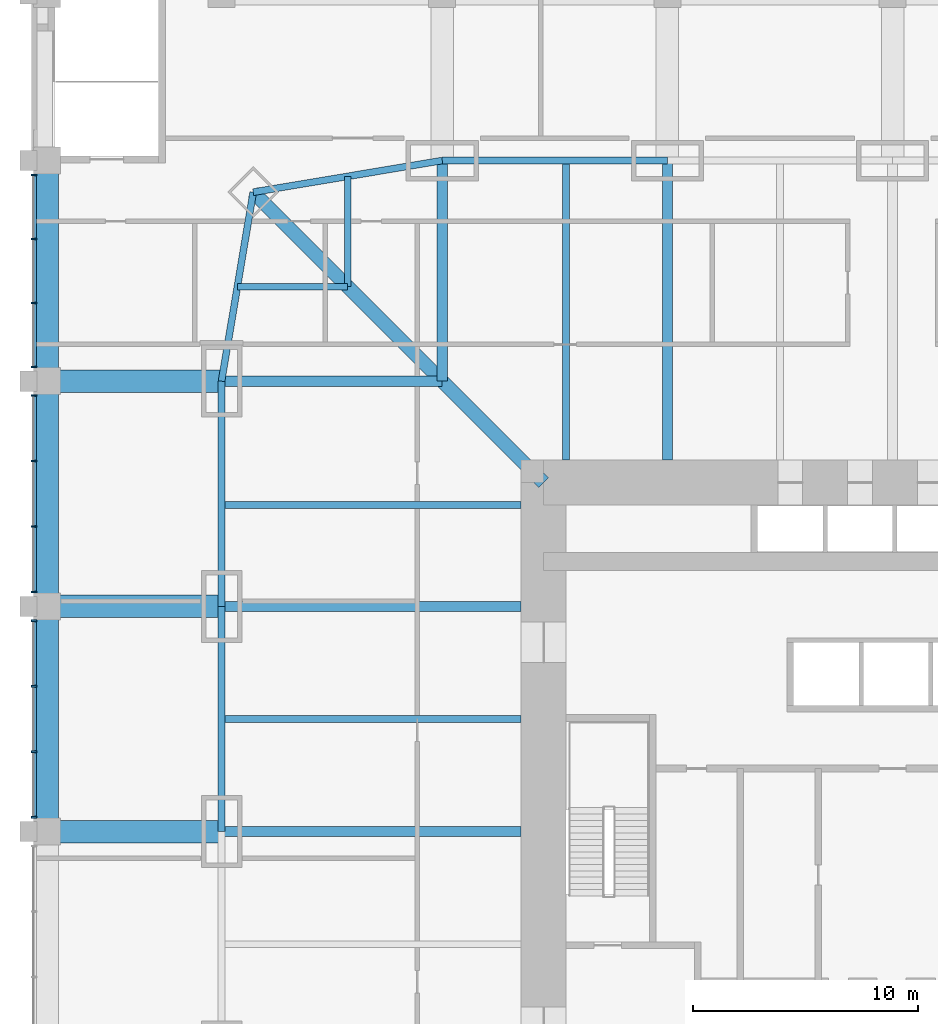
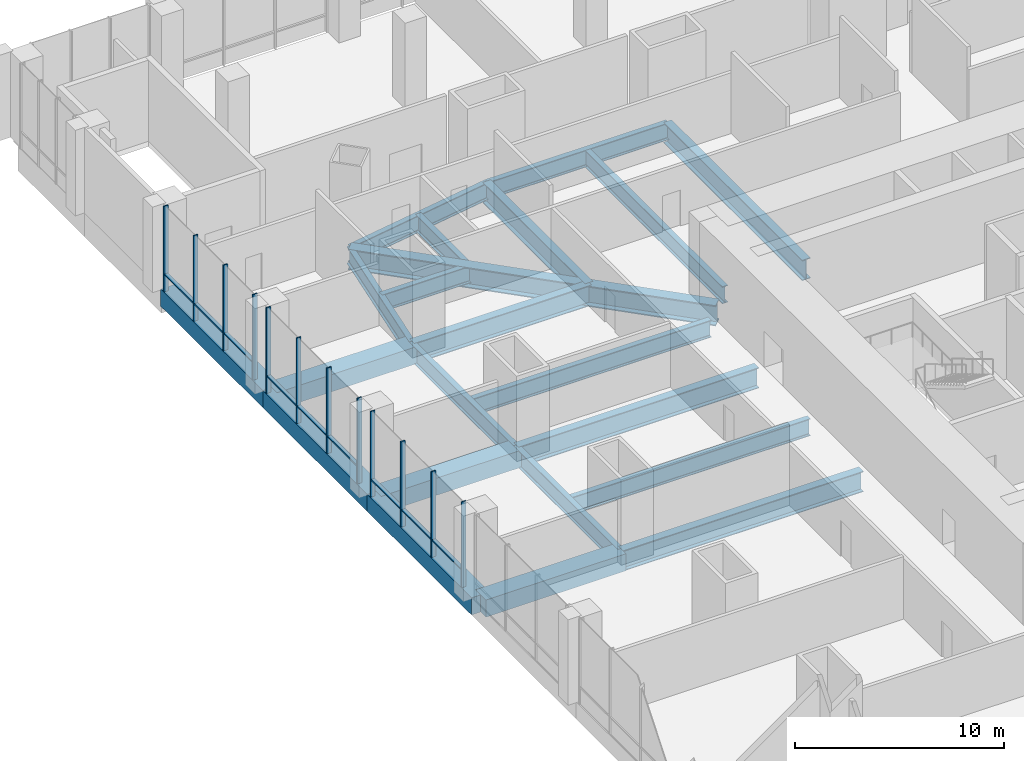
# One storey, part 6 of 22: 22 beams, 21 members, 3 elements without a shape of their own.
"""IFC4 building model written with IfcOpenShell, lengths in metres."""

import ifcopenshell
import ifcopenshell.guid

model = None  # the IFC model being written
_history = None  # IfcOwnerHistory: only IFC2X3 demands one
_inside = {}  # id of a spatial element -> (the spatial element, [elements in it])
_under = {}  # id of a project, library or spatial element -> (it, [spatial elements below it])
_declared = {}  # id of a project -> (the project, [libraries it declares])
_typed = {}  # id of a type object -> (the type object, [elements of that type])
_made_of = {}  # id of a material, layer set ... -> (it, [elements and type objects made of it])


def new_model(schema):
    """Start an empty IFC model of exactly this schema.

    Asked for "IFC4X3", IfcOpenShell would pick the latest addendum, in which some entities
    have other attributes; the version numbers below select the first issue.
    IFC2X3 requires an IfcOwnerHistory on every rooted entity: one is made here for all.
    """
    global model, _history
    if schema == "IFC4X3":
        model = ifcopenshell.file(schema_version=(4, 3, 0, 0))
    else:
        model = ifcopenshell.file(schema=schema)
    _inside.clear()
    _under.clear()
    _declared.clear()
    _typed.clear()
    _made_of.clear()
    _history = None
    if model.schema == "IFC2X3":
        org = make("IfcOrganization", Name="unknown")
        user = make(
            "IfcPersonAndOrganization",
            ThePerson=make("IfcPerson", FamilyName="unknown"),
            TheOrganization=org,
        )
        app = make(
            "IfcApplication",
            ApplicationDeveloper=org,
            Version="unknown",
            ApplicationFullName="unknown",
            ApplicationIdentifier="unknown",
        )
        _history = make(
            "IfcOwnerHistory",
            OwningUser=user,
            OwningApplication=app,
            ChangeAction="ADDED",
            CreationDate=0,
        )
    return model


def make(cls, **values):
    """One entity of the class cls with the attributes given. An attribute that is None is left unset."""
    return model.create_entity(
        cls, **{name: value for name, value in values.items() if value is not None}
    )


def rooted(cls, **values):
    """An entity with a GlobalId (a new one), such as an element, a storey or a relation."""
    return make(cls, GlobalId=ifcopenshell.guid.new(), OwnerHistory=_history, **values)


def si_unit(unit_type, name, prefix=None):
    """IfcSIUnit, for example si_unit("LENGTHUNIT", "METRE", prefix="MILLI")."""
    return make("IfcSIUnit", UnitType=unit_type, Prefix=prefix, Name=name)


def assignment(units):
    """IfcUnitAssignment: the units of a project."""
    return None if units is None else make("IfcUnitAssignment", Units=units)


def point(xyz):
    """IfcCartesianPoint."""
    return None if xyz is None else make("IfcCartesianPoint", Coordinates=xyz)


def direction(xyz):
    """IfcDirection."""
    return None if xyz is None else make("IfcDirection", DirectionRatios=xyz)


def frame(location, z_axis=None, x_axis=None):
    """IfcAxis2Placement3D, a coordinate frame: its origin and axes. An axis left out is left unset."""
    return make(
        "IfcAxis2Placement3D",
        Location=point(location),
        Axis=direction(z_axis),
        RefDirection=direction(x_axis),
    )


def frame_2d(location, x_axis=None):
    """IfcAxis2Placement2D, a coordinate frame in the plane: its origin and x axis."""
    return make(
        "IfcAxis2Placement2D", Location=point(location), RefDirection=direction(x_axis)
    )


def origin():
    """The frame at (0, 0, 0) with its axes left unset."""
    return frame((0.0, 0.0, 0.0))


def origin_2d():
    """The frame at (0, 0) in the plane with its x axis left unset."""
    return frame_2d((0.0, 0.0))


def place(relative_to, where):
    """IfcLocalPlacement: puts the frame where relative to a parent placement (None: the world)."""
    return make(
        "IfcLocalPlacement", PlacementRelTo=relative_to, RelativePlacement=where
    )


def context(
    kind, dimensions, precision=None, world=None, true_north=None, identifier=None
):
    """IfcGeometricRepresentationContext, for example the 3D "Model" context."""
    return make(
        "IfcGeometricRepresentationContext",
        ContextIdentifier=identifier,
        ContextType=kind,
        CoordinateSpaceDimension=dimensions,
        Precision=precision,
        WorldCoordinateSystem=world,
        TrueNorth=true_north,
    )


def subcontext(parent, identifier, kind, view, scale=None):
    """IfcGeometricRepresentationSubContext, for example "Body" below "Model"."""
    return make(
        "IfcGeometricRepresentationSubContext",
        ContextIdentifier=identifier,
        ContextType=kind,
        ParentContext=parent,
        TargetScale=scale,
        TargetView=view,
    )


def project(units=None, contexts=None):
    """IfcProject with its units and contexts."""
    return rooted(
        "IfcProject",
        Name="project",
        RepresentationContexts=contexts,
        UnitsInContext=assignment(units),
    )


def spatial(cls, under=None, at=None, **own):
    """A site, building, storey or space (cls), placed at a placement, below another one or the project."""
    s = rooted(cls, ObjectPlacement=at, **own)
    if under is not None:
        _under.setdefault(under.id(), (under, []))[1].append(s)
    return s


def profile(cls, at=None, kind="AREA", **sizes):
    """A parametric profile (cls). Its sizes go by their IFC names, for example OverallWidth=200.0."""
    return make(cls, ProfileType=kind, Position=at, **sizes)


def rectangle(**sizes):
    """IfcRectangleProfileDef."""
    return profile("IfcRectangleProfileDef", **sizes)


def i_section(**sizes):
    """IfcIShapeProfileDef."""
    return profile("IfcIShapeProfileDef", **sizes)


def extrude(swept, where, along, depth):
    """IfcExtrudedAreaSolid: the profile swept, set in the frame where, extruded along a direction by depth."""
    return make(
        "IfcExtrudedAreaSolid",
        SweptArea=swept,
        Position=where,
        ExtrudedDirection=direction(along),
        Depth=depth,
    )


def shape(context_of_items, identifier, shape_type, items):
    """IfcShapeRepresentation: the items that make up one representation, for example the "Body"."""
    return make(
        "IfcShapeRepresentation",
        ContextOfItems=context_of_items,
        RepresentationIdentifier=identifier,
        RepresentationType=shape_type,
        Items=items,
    )


def material(Name=None, Category=None):
    """IfcMaterial."""
    return make("IfcMaterial", Name=Name, Category=Category)


def material_profile(
    of_material, cross_section, Name=None, Category=None, Priority=None
):
    """IfcMaterialProfile: a cross section and its material."""
    return make(
        "IfcMaterialProfile",
        Name=Name,
        Material=of_material,
        Profile=cross_section,
        Priority=Priority,
        Category=Category,
    )


def profile_set(profiles, Name=None, composite=None):
    """IfcMaterialProfileSet."""
    return make(
        "IfcMaterialProfileSet",
        Name=Name,
        MaterialProfiles=profiles,
        CompositeProfile=composite,
    )


def made_of(thing, what):
    """Note that an element or type object is made of a material, layer set ...; save() writes the relation."""
    if what is not None:
        _made_of.setdefault(what.id(), (what, []))[1].append(thing)
    return thing


def type_object(cls, material=None, **own):
    """A type object (cls), such as IfcWallType, which elements share."""
    return made_of(rooted(cls, **own), material)


def element(
    cls,
    number,
    at=None,
    inside=None,
    cuts=None,
    type_object=None,
    material=None,
    context=None,
    identifier="Body",
    shape_type=None,
    held_by="IfcProductDefinitionShape",
    body=None,
    shapes=None,
    **own,
):
    """One element of the class cls, such as IfcWall. Its Tag is "e" and its number.

    at: its placement. inside: the storey or other place that contains it. cuts: it is an
    opening in that element (IfcRelVoidsElement). A single representation is given by context,
    identifier, shape_type and body (its items); several are given by shapes. held_by: the class
    of the entity that holds the representations. save() writes the other relations.
    """
    e = rooted(cls, Tag="e%d" % number, ObjectPlacement=at, **own)
    if body is not None:
        shapes = [shape(context, identifier, shape_type, body)]
    if shapes is not None:
        e.Representation = make(held_by, Representations=shapes)
    if inside is not None:
        _inside.setdefault(inside.id(), (inside, []))[1].append(e)
    if cuts is not None:
        rooted(
            "IfcRelVoidsElement", RelatingBuildingElement=cuts, RelatedOpeningElement=e
        )
    if type_object is not None:
        _typed.setdefault(type_object.id(), (type_object, []))[1].append(e)
    return made_of(e, material)


def aggregate(whole, parts):
    """IfcRelAggregates: a whole, such as a stair, and the parts it consists of."""
    return rooted("IfcRelAggregates", RelatingObject=whole, RelatedObjects=parts)


def save(model, path):
    """Write the relations noted so far, then the file.

    IfcRelAggregates (storeys below a building ...), IfcRelContainedInSpatialStructure (elements
    in a storey), IfcRelDefinesByType, IfcRelAssociatesMaterial and IfcRelDeclares: one each for
    every whole, place, type object, material and project.
    """
    for whole, parts in _under.values():
        aggregate(whole, parts)
    for where, things in _inside.values():
        rooted(
            "IfcRelContainedInSpatialStructure",
            RelatedElements=things,
            RelatingStructure=where,
        )
    for kind, things in _typed.values():
        rooted("IfcRelDefinesByType", RelatedObjects=things, RelatingType=kind)
    for what, things in _made_of.values():
        rooted("IfcRelAssociatesMaterial", RelatedObjects=things, RelatingMaterial=what)
    for by, libraries in _declared.values():
        rooted("IfcRelDeclares", RelatingContext=by, RelatedDefinitions=libraries)
    model.write(path)


model = new_model("IFC4")

# Units and contexts
model_context = context("Model", 3, precision=1e-05, world=origin(), true_north=direction((0.0, 1.0)))
body_context = subcontext(model_context, "Body", "Model", "MODEL_VIEW")
ifc_project = project(units=[si_unit("LENGTHUNIT", "METRE"), si_unit("AREAUNIT", "SQUARE_METRE"), si_unit("VOLUMEUNIT", "CUBIC_METRE"), si_unit("PLANEANGLEUNIT", "RADIAN"), si_unit("MASSUNIT", "GRAM", prefix="KILO")], contexts=[model_context])

# Site, building, storey
site_placement = place(None, origin())
site = spatial("IfcSite", under=ifc_project, at=site_placement, CompositionType="ELEMENT")
building_placement = place(site_placement, origin())
building = spatial("IfcBuilding", under=site, at=building_placement, Name="Khuree Lantern Residences", CompositionType="ELEMENT")
storey_placement = place(building_placement, frame((0.0, 0.0, 16.0)))
storey = spatial("IfcBuildingStorey", under=building, at=storey_placement, Name="L03", CompositionType="ELEMENT", Elevation=16.0)

# Beams
ifc_material_1 = material(Name="Steel S355", Category="steel")
ifc_material_profile_1 = material_profile(ifc_material_1, i_section(OverallWidth=0.300048828125, OverallDepth=1.0, WebThickness=0.01904296875, FlangeThickness=0.035888671875, FilletRadius=0.030029296875, at=origin_2d()), Name="HE 1000 B")
ifc_profile_set_1 = profile_set([ifc_material_profile_1], Name="Steel S355")
beam_type_1 = type_object("IfcBeamType", Name="B-03 SECONDARY BEAM HE 1000 B", PredefinedType="BEAM", material=ifc_profile_set_1)
for number, where, z_axis, x_axis, name in (
    (1, (-14.5, 29.800048828125, -0.800048828125), (0.0, -1.0, 0.0), (1.0, 0.0, 0.0), "Secondary beam N1"),
    (2, (-29.800048828125, 5.0, -0.800048828125), (1.0, 0.0, 0.0), (0.0, 1.0, 0.0), "Secondary beam W4"),
    (3, (-29.800048828125, 14.5, -0.800048828125), (1.0, 0.0, 0.0), (0.0, 1.0, 0.0), "Secondary beam W5"),
):
    element("IfcBeam", number, at=place(storey_placement, frame(where, z_axis=z_axis, x_axis=x_axis)), inside=storey, type_object=beam_type_1, Name=name, PredefinedType="BEAM", context=body_context, shape_type="SweptSolid", body=[
        extrude(i_section(OverallWidth=0.300048828125, OverallDepth=1.0, WebThickness=0.01904296875, FlangeThickness=0.035888671875, FilletRadius=0.030029296875, at=origin_2d()), origin(), (0.0, 0.0, 1.0), 13.300048828125),
    ])
for number, where, z_axis, x_axis, name in (
    (4, (-29.09716796875, 24.197021484375, -0.800048828125), (1.0, 0.0, 0.0), (0.0, 1.0, 0.0), "Secondary beam W6"),
    (5, (-24.197021484375, 29.09716796875, -0.800048828125), (0.0, -1.0, 0.0), (1.0, 0.0, 0.0), "Secondary beam N6"),
):
    element("IfcBeam", number, at=place(storey_placement, frame(where, z_axis=z_axis, x_axis=x_axis)), inside=storey, type_object=beam_type_1, Name=name, PredefinedType="BEAM", context=body_context, shape_type="SweptSolid", body=[
        extrude(i_section(OverallWidth=0.300048828125, OverallDepth=1.0, WebThickness=0.01904296875, FlangeThickness=0.035888671875, FilletRadius=0.030029296875, at=origin_2d()), origin(), (0.0, 0.0, 1.0), 4.900146484375),
    ])
ifc_material_profile_2 = material_profile(ifc_material_1, i_section(OverallWidth=0.300048828125, OverallDepth=1.0, WebThickness=0.01904296875, FlangeThickness=0.035888671875, FilletRadius=0.030029296875, at=origin_2d()), Name="HE 1000 B")
ifc_profile_set_2 = profile_set([ifc_material_profile_2], Name="Steel S355")
beam_type_2 = type_object("IfcBeamType", Name="E-03 SPANDREL BEAM HE 1000 B", PredefinedType="SPANDREL", material=ifc_profile_set_2)
for number, where, z_axis, x_axis, name in (
    (6, (-20.0, 29.800048828125, -0.800048828125), (1.0, 0.0, 0.0), (0.0, 1.0, 0.0), "Spandrel beam N1"),
    (7, (-29.800048828125, 0.0, -0.800048828125), (0.0, 1.0, 0.0), (-1.0, 0.0, 0.0), "Spandrel beam W4"),
    (8, (-29.800048828125, 10.0, -0.800048828125), (0.0, 1.0, 0.0), (-1.0, 0.0, 0.0), "Spandrel beam W5"),
):
    element("IfcBeam", number, at=place(storey_placement, frame(where, z_axis=z_axis, x_axis=x_axis)), inside=storey, type_object=beam_type_2, Name=name, PredefinedType="SPANDREL", context=body_context, shape_type="SweptSolid", body=[
        extrude(i_section(OverallWidth=0.300048828125, OverallDepth=1.0, WebThickness=0.01904296875, FlangeThickness=0.035888671875, FilletRadius=0.030029296875, at=origin_2d()), origin(), (0.0, 0.0, 1.0), 10.0),
    ])
for number, where, z_axis, x_axis, name in (
    (9, (-29.800048828125, 20.0, -0.800048828125), (0.165199022349, 0.986260251158, 0.0), (-0.986260251158, 0.165199022349, 0.0), "Spandrel beam W6"),
    (10, (-28.39404296875, 28.39404296875, -0.800048828125), (0.986260251158, 0.165199022349, 0.0), (-0.165199022349, 0.986260251158, 0.0), "Spandrel beam N6"),
):
    element("IfcBeam", number, at=place(storey_placement, frame(where, z_axis=z_axis, x_axis=x_axis)), inside=storey, type_object=beam_type_2, Name=name, PredefinedType="SPANDREL", context=body_context, shape_type="SweptSolid", body=[
        extrude(i_section(OverallWidth=0.300048828125, OverallDepth=1.0, WebThickness=0.01904296875, FlangeThickness=0.035888671875, FilletRadius=0.030029296875, at=origin_2d()), origin(), (0.0, 0.0, 1.0), 8.510986328125),
    ])
ifc_material_profile_3 = material_profile(ifc_material_1, i_section(OverallWidth=0.449951171875, OverallDepth=1.199951171875, WebThickness=0.02490234375, FlangeThickness=0.044921875, at=origin_2d()), Name="WELDED I 1200X450X25X45")
ifc_profile_set_3 = profile_set([ifc_material_profile_3], Name="Steel S355")
beam_type_3 = type_object("IfcBeamType", Name="G-03 GIRDER WELDED I 1200X450X25X45", PredefinedType="BEAM", material=ifc_profile_set_3)
beam_1_placement = place(storey_placement, frame((-20.0, 29.800048828125, -0.89990234375), z_axis=(0.0, -1.0, 0.0), x_axis=(1.0, 0.0, 0.0)))
element("IfcBeam", 11, at=beam_1_placement, inside=storey, type_object=beam_type_3, Name="Girder N1", PredefinedType="BEAM", context=body_context, shape_type="SweptSolid", body=[
    extrude(i_section(OverallWidth=0.449951171875, OverallDepth=1.199951171875, WebThickness=0.02490234375, FlangeThickness=0.044921875, at=origin_2d()), origin(), (0.0, 0.0, 1.0), 9.800048828125),
])
for number, where, z_axis, x_axis, name in (
    (12, (-10.0, 29.800048828125, -0.89990234375), (0.0, -1.0, 0.0), (1.0, 0.0, 0.0), "Girder N2"),
    (13, (-29.800048828125, 0.0, -0.89990234375), (1.0, 0.0, 0.0), (0.0, 1.0, 0.0), "Girder W3"),
    (14, (-29.800048828125, 10.0, -0.89990234375), (1.0, 0.0, 0.0), (0.0, 1.0, 0.0), "Girder W4"),
):
    element("IfcBeam", number, at=place(storey_placement, frame(where, z_axis=z_axis, x_axis=x_axis)), inside=storey, type_object=beam_type_3, Name=name, PredefinedType="BEAM", context=body_context, shape_type="SweptSolid", body=[
        extrude(i_section(OverallWidth=0.449951171875, OverallDepth=1.199951171875, WebThickness=0.02490234375, FlangeThickness=0.044921875, at=origin_2d()), origin(), (0.0, 0.0, 1.0), 13.300048828125),
    ])
beam_2_placement = place(storey_placement, frame((-29.800048828125, 20.0, -0.89990234375), z_axis=(1.0, 0.0, 0.0), x_axis=(0.0, 1.0, 0.0)))
element("IfcBeam", 15, at=beam_2_placement, inside=storey, type_object=beam_type_3, Name="Girder W5", PredefinedType="BEAM", context=body_context, shape_type="SweptSolid", body=[
    extrude(i_section(OverallWidth=0.449951171875, OverallDepth=1.199951171875, WebThickness=0.02490234375, FlangeThickness=0.044921875, at=origin_2d()), origin(), (0.0, 0.0, 1.0), 9.800048828125),
])
ifc_material_profile_4 = material_profile(ifc_material_1, i_section(OverallWidth=0.60009765625, OverallDepth=1.199951171875, WebThickness=0.030029296875, FlangeThickness=0.06005859375, at=origin_2d()), Name="WELDED I 1200X600X30X60")
ifc_profile_set_4 = profile_set([ifc_material_profile_4], Name="Steel S355")
beam_type_4 = type_object("IfcBeamType", Name="GD-03 CORNER GIRDER WELDED I 1200X600X30X60", PredefinedType="BEAM", material=ifc_profile_set_4)
beam_3_placement = place(storey_placement, frame((-28.39404296875, 28.39404296875, -0.89990234375), z_axis=(0.707106781187, -0.707106781187, 0.0), x_axis=(0.707106781187, 0.707106781187, 0.0)))
element("IfcBeam", 16, at=beam_3_placement, inside=storey, type_object=beam_type_4, Name="Corner girder NW", PredefinedType="BEAM", context=body_context, shape_type="SweptSolid", body=[
    extrude(i_section(OverallWidth=0.60009765625, OverallDepth=1.199951171875, WebThickness=0.030029296875, FlangeThickness=0.06005859375, at=origin_2d()), origin(), (0.0, 0.0, 1.0), 18.23486328125),
])

# Curtain wall, members
ifc_material_2 = material(Name="Bronze anodised aluminium", Category="aluminium")
curtain_wall_type = type_object("IfcCurtainWallType", Name="CW-P PODIUM STOREFRONT CURTAIN WALL", PredefinedType="USERDEFINED", material=ifc_material_2)
curtain_wall_1_placement = place(storey_placement, origin())
curtain_wall_1 = element("IfcCurtainWall", 17, at=curtain_wall_1_placement, inside=storey, type_object=curtain_wall_type, Name="L03 WEST FACE BAY 3 STOREFRONT", ObjectType="Storefront curtain wall", PredefinedType="USERDEFINED")
ifc_material_profile_5 = material_profile(ifc_material_2, rectangle(XDim=0.074951171875, YDim=0.25, at=origin_2d()), Name="M5 75X250")
ifc_profile_set_5 = profile_set([ifc_material_profile_5], Name="Bronze anodised aluminium")
member_type_1 = type_object("IfcMemberType", Name="MULLION M5 STOREFRONT 75X250", PredefinedType="MULLION", material=ifc_profile_set_5)
member_1_placement = place(storey_placement, frame((-38.125, 29.16259765625, 0.0), z_axis=(0.0, 0.0, 1.0), x_axis=(0.0, -1.0, 0.0)))
member_1 = element("IfcMember", 18, at=member_1_placement, type_object=member_type_1, Name="L03 WEST FACE BAY 3 MULLION 1", PredefinedType="MULLION", context=body_context, shape_type="SweptSolid", body=[
    extrude(rectangle(XDim=0.074951171875, YDim=0.25, at=origin_2d()), origin(), (0.0, 0.0, 1.0), 5.0),
])
member_2_placement = place(storey_placement, frame((-38.125, 26.32080078125, 0.0), z_axis=(0.0, 0.0, 1.0), x_axis=(0.0, -1.0, 0.0)))
member_2 = element("IfcMember", 19, at=member_2_placement, type_object=member_type_1, Name="L03 WEST FACE BAY 3 MULLION 2", PredefinedType="MULLION", context=body_context, shape_type="SweptSolid", body=[
    extrude(rectangle(XDim=0.074951171875, YDim=0.25, at=origin_2d()), origin(), (0.0, 0.0, 1.0), 5.0),
])
member_3_placement = place(storey_placement, frame((-38.125, 23.479248046875, 0.0), z_axis=(0.0, 0.0, 1.0), x_axis=(0.0, -1.0, 0.0)))
member_3 = element("IfcMember", 20, at=member_3_placement, type_object=member_type_1, Name="L03 WEST FACE BAY 3 MULLION 3", PredefinedType="MULLION", context=body_context, shape_type="SweptSolid", body=[
    extrude(rectangle(XDim=0.074951171875, YDim=0.25, at=origin_2d()), origin(), (0.0, 0.0, 1.0), 5.0),
])
member_4_placement = place(storey_placement, frame((-38.125, 20.637451171875, 0.0), z_axis=(0.0, 0.0, 1.0), x_axis=(0.0, -1.0, 0.0)))
member_4 = element("IfcMember", 21, at=member_4_placement, type_object=member_type_1, Name="L03 WEST FACE BAY 3 MULLION 4", PredefinedType="MULLION", context=body_context, shape_type="SweptSolid", body=[
    extrude(rectangle(XDim=0.074951171875, YDim=0.25, at=origin_2d()), origin(), (0.0, 0.0, 1.0), 5.0),
])

curtain_wall_2_placement = place(storey_placement, origin())
curtain_wall_2 = element("IfcCurtainWall", 22, at=curtain_wall_2_placement, inside=storey, type_object=curtain_wall_type, Name="L03 WEST FACE BAY 4 STOREFRONT", ObjectType="Storefront curtain wall", PredefinedType="USERDEFINED")
member_5_placement = place(storey_placement, frame((-38.125, 19.362548828125, 0.0), z_axis=(0.0, 0.0, 1.0), x_axis=(0.0, -1.0, 0.0)))
member_5 = element("IfcMember", 23, at=member_5_placement, type_object=member_type_1, Name="L03 WEST FACE BAY 4 MULLION 1", PredefinedType="MULLION", context=body_context, shape_type="SweptSolid", body=[
    extrude(rectangle(XDim=0.074951171875, YDim=0.25, at=origin_2d()), origin(), (0.0, 0.0, 1.0), 5.0),
])
member_6_placement = place(storey_placement, frame((-38.125, 16.4541015625, 0.0), z_axis=(0.0, 0.0, 1.0), x_axis=(0.0, -1.0, 0.0)))
member_6 = element("IfcMember", 24, at=member_6_placement, type_object=member_type_1, Name="L03 WEST FACE BAY 4 MULLION 2", PredefinedType="MULLION", context=body_context, shape_type="SweptSolid", body=[
    extrude(rectangle(XDim=0.074951171875, YDim=0.25, at=origin_2d()), origin(), (0.0, 0.0, 1.0), 5.0),
])
member_7_placement = place(storey_placement, frame((-38.125, 13.5458984375, 0.0), z_axis=(0.0, 0.0, 1.0), x_axis=(0.0, -1.0, 0.0)))
member_7 = element("IfcMember", 25, at=member_7_placement, type_object=member_type_1, Name="L03 WEST FACE BAY 4 MULLION 3", PredefinedType="MULLION", context=body_context, shape_type="SweptSolid", body=[
    extrude(rectangle(XDim=0.074951171875, YDim=0.25, at=origin_2d()), origin(), (0.0, 0.0, 1.0), 5.0),
])
member_8_placement = place(storey_placement, frame((-38.125, 10.637451171875, 0.0), z_axis=(0.0, 0.0, 1.0), x_axis=(0.0, -1.0, 0.0)))
member_8 = element("IfcMember", 26, at=member_8_placement, type_object=member_type_1, Name="L03 WEST FACE BAY 4 MULLION 4", PredefinedType="MULLION", context=body_context, shape_type="SweptSolid", body=[
    extrude(rectangle(XDim=0.074951171875, YDim=0.25, at=origin_2d()), origin(), (0.0, 0.0, 1.0), 5.0),
])

curtain_wall_3_placement = place(storey_placement, origin())
curtain_wall_3 = element("IfcCurtainWall", 27, at=curtain_wall_3_placement, inside=storey, type_object=curtain_wall_type, Name="L03 WEST FACE BAY 5 STOREFRONT", ObjectType="Storefront curtain wall", PredefinedType="USERDEFINED")
member_9_placement = place(storey_placement, frame((-38.125, 9.362548828125, 0.0), z_axis=(0.0, 0.0, 1.0), x_axis=(0.0, -1.0, 0.0)))
member_9 = element("IfcMember", 28, at=member_9_placement, type_object=member_type_1, Name="L03 WEST FACE BAY 5 MULLION 1", PredefinedType="MULLION", context=body_context, shape_type="SweptSolid", body=[
    extrude(rectangle(XDim=0.074951171875, YDim=0.25, at=origin_2d()), origin(), (0.0, 0.0, 1.0), 5.0),
])
member_10_placement = place(storey_placement, frame((-38.125, 6.4541015625, 0.0), z_axis=(0.0, 0.0, 1.0), x_axis=(0.0, -1.0, 0.0)))
member_10 = element("IfcMember", 29, at=member_10_placement, type_object=member_type_1, Name="L03 WEST FACE BAY 5 MULLION 2", PredefinedType="MULLION", context=body_context, shape_type="SweptSolid", body=[
    extrude(rectangle(XDim=0.074951171875, YDim=0.25, at=origin_2d()), origin(), (0.0, 0.0, 1.0), 5.0),
])
member_11_placement = place(storey_placement, frame((-38.125, 3.5458984375, 0.0), z_axis=(0.0, 0.0, 1.0), x_axis=(0.0, -1.0, 0.0)))
member_11 = element("IfcMember", 30, at=member_11_placement, type_object=member_type_1, Name="L03 WEST FACE BAY 5 MULLION 3", PredefinedType="MULLION", context=body_context, shape_type="SweptSolid", body=[
    extrude(rectangle(XDim=0.074951171875, YDim=0.25, at=origin_2d()), origin(), (0.0, 0.0, 1.0), 5.0),
])
member_12_placement = place(storey_placement, frame((-38.125, 0.637451171875, 0.0), z_axis=(0.0, 0.0, 1.0), x_axis=(0.0, -1.0, 0.0)))
member_12 = element("IfcMember", 31, at=member_12_placement, type_object=member_type_1, Name="L03 WEST FACE BAY 5 MULLION 4", PredefinedType="MULLION", context=body_context, shape_type="SweptSolid", body=[
    extrude(rectangle(XDim=0.074951171875, YDim=0.25, at=origin_2d()), origin(), (0.0, 0.0, 1.0), 5.0),
])

# Beams
ifc_material_3 = material(Name="Concrete C40/50", Category="concrete")
ifc_material_profile_6 = material_profile(ifc_material_3, rectangle(XDim=1.0, YDim=1.0, at=origin_2d()), Name="RC 1000X1000")
ifc_profile_set_6 = profile_set([ifc_material_profile_6], Name="Concrete C40/50")
beam_type_5 = type_object("IfcBeamType", Name="RB3 PODIUM BEAM RC 1000X1000", PredefinedType="BEAM", material=ifc_profile_set_6)
for number, where, z_axis, x_axis, name in (
    (32, (-37.550048828125, 0.0, -0.800048828125), (1.0, 0.0, 0.0), (0.0, 1.0, 0.0), "Podium beam RB-5"),
    (33, (-37.550048828125, 10.0, -0.800048828125), (1.0, 0.0, 0.0), (0.0, 1.0, 0.0), "Podium beam RB-7"),
    (34, (-37.550048828125, 20.0, -0.800048828125), (1.0, 0.0, 0.0), (0.0, 1.0, 0.0), "Podium beam RB-9"),
):
    element("IfcBeam", number, at=place(storey_placement, frame(where, z_axis=z_axis, x_axis=x_axis)), inside=storey, type_object=beam_type_5, Name=name, PredefinedType="BEAM", context=body_context, shape_type="SweptSolid", body=[
        extrude(rectangle(XDim=1.0, YDim=1.0, at=origin_2d()), origin(), (0.0, 0.0, 1.0), 7.75),
    ])
for number, where, z_axis, x_axis, name in (
    (35, (-37.550048828125, 0.0, -0.800048828125), (0.0, 1.0, 0.0), (-1.0, 0.0, 0.0), "Podium beam RB-28"),
    (36, (-37.550048828125, 10.0, -0.800048828125), (0.0, 1.0, 0.0), (-1.0, 0.0, 0.0), "Podium beam RB-29"),
):
    element("IfcBeam", number, at=place(storey_placement, frame(where, z_axis=z_axis, x_axis=x_axis)), inside=storey, type_object=beam_type_5, Name=name, PredefinedType="BEAM", context=body_context, shape_type="SweptSolid", body=[
        extrude(rectangle(XDim=1.0, YDim=1.0, at=origin_2d()), origin(), (0.0, 0.0, 1.0), 10.0),
    ])
beam_4_placement = place(storey_placement, frame((-37.550048828125, 20.0, -0.800048828125), z_axis=(0.0, 1.0, 0.0), x_axis=(-1.0, 0.0, 0.0)))
element("IfcBeam", 37, at=beam_4_placement, inside=storey, type_object=beam_type_5, Name="Podium beam RB-30", PredefinedType="BEAM", context=body_context, shape_type="SweptSolid", body=[
    extrude(rectangle(XDim=1.0, YDim=1.0, at=origin_2d()), origin(), (0.0, 0.0, 1.0), 9.800048828125),
])

# Member
ifc_material_profile_7 = material_profile(ifc_material_2, rectangle(XDim=0.199951171875, YDim=0.074951171875, at=origin_2d()), Name="T5 200X75")
ifc_profile_set_7 = profile_set([ifc_material_profile_7], Name="Bronze anodised aluminium")
member_type_2 = type_object("IfcMemberType", Name="TRANSOM T5 STOREFRONT 200X75", PredefinedType="USERDEFINED", material=ifc_profile_set_7)
member_13_placement = place(storey_placement, frame((-38.1201171875, 29.125, 1.0), z_axis=(0.0, -1.0, 0.0), x_axis=(1.0, 0.0, 0.0)))
member_13 = element("IfcMember", 38, at=member_13_placement, type_object=member_type_2, Name="L03 WEST FACE BAY 3 TRANSOM 1", ObjectType="Transom", PredefinedType="USERDEFINED", context=body_context, shape_type="SweptSolid", body=[
    extrude(rectangle(XDim=0.199951171875, YDim=0.074951171875, at=origin_2d()), origin(), (0.0, 0.0, 1.0), 2.7666015625),
])

member_14_placement = place(storey_placement, frame((-38.1201171875, 26.283447265625, 1.0), z_axis=(0.0, -1.0, 0.0), x_axis=(1.0, 0.0, 0.0)))
member_14 = element("IfcMember", 39, at=member_14_placement, type_object=member_type_2, Name="L03 WEST FACE BAY 3 TRANSOM 2", ObjectType="Transom", PredefinedType="USERDEFINED", context=body_context, shape_type="SweptSolid", body=[
    extrude(rectangle(XDim=0.199951171875, YDim=0.074951171875, at=origin_2d()), origin(), (0.0, 0.0, 1.0), 2.766845703125),
])

member_15_placement = place(storey_placement, frame((-38.1201171875, 23.441650390625, 1.0), z_axis=(0.0, -1.0, 0.0), x_axis=(1.0, 0.0, 0.0)))
member_15 = element("IfcMember", 40, at=member_15_placement, type_object=member_type_2, Name="L03 WEST FACE BAY 3 TRANSOM 3", ObjectType="Transom", PredefinedType="USERDEFINED", context=body_context, shape_type="SweptSolid", body=[
    extrude(rectangle(XDim=0.199951171875, YDim=0.074951171875, at=origin_2d()), origin(), (0.0, 0.0, 1.0), 2.7666015625),
])

aggregate(curtain_wall_1, [member_1, member_2, member_3, member_4, member_13, member_14, member_15])

member_16_placement = place(storey_placement, frame((-38.1201171875, 19.324951171875, 1.0), z_axis=(0.0, -1.0, 0.0), x_axis=(1.0, 0.0, 0.0)))
member_16 = element("IfcMember", 41, at=member_16_placement, type_object=member_type_2, Name="L03 WEST FACE BAY 4 TRANSOM 1", ObjectType="Transom", PredefinedType="USERDEFINED", context=body_context, shape_type="SweptSolid", body=[
    extrude(rectangle(XDim=0.199951171875, YDim=0.074951171875, at=origin_2d()), origin(), (0.0, 0.0, 1.0), 2.833251953125),
])

member_17_placement = place(storey_placement, frame((-38.1201171875, 16.416748046875, 1.0), z_axis=(0.0, -1.0, 0.0), x_axis=(1.0, 0.0, 0.0)))
member_17 = element("IfcMember", 42, at=member_17_placement, type_object=member_type_2, Name="L03 WEST FACE BAY 4 TRANSOM 2", ObjectType="Transom", PredefinedType="USERDEFINED", context=body_context, shape_type="SweptSolid", body=[
    extrude(rectangle(XDim=0.199951171875, YDim=0.074951171875, at=origin_2d()), origin(), (0.0, 0.0, 1.0), 2.83349609375),
])

member_18_placement = place(storey_placement, frame((-38.1201171875, 13.50830078125, 1.0), z_axis=(0.0, -1.0, 0.0), x_axis=(1.0, 0.0, 0.0)))
member_18 = element("IfcMember", 43, at=member_18_placement, type_object=member_type_2, Name="L03 WEST FACE BAY 4 TRANSOM 3", ObjectType="Transom", PredefinedType="USERDEFINED", context=body_context, shape_type="SweptSolid", body=[
    extrude(rectangle(XDim=0.199951171875, YDim=0.074951171875, at=origin_2d()), origin(), (0.0, 0.0, 1.0), 2.833251953125),
])

aggregate(curtain_wall_2, [member_5, member_6, member_7, member_8, member_16, member_17, member_18])

member_19_placement = place(storey_placement, frame((-38.1201171875, 9.324951171875, 1.0), z_axis=(0.0, -1.0, 0.0), x_axis=(1.0, 0.0, 0.0)))
member_19 = element("IfcMember", 44, at=member_19_placement, type_object=member_type_2, Name="L03 WEST FACE BAY 5 TRANSOM 1", ObjectType="Transom", PredefinedType="USERDEFINED", context=body_context, shape_type="SweptSolid", body=[
    extrude(rectangle(XDim=0.199951171875, YDim=0.074951171875, at=origin_2d()), origin(), (0.0, 0.0, 1.0), 2.833251953125),
])

member_20_placement = place(storey_placement, frame((-38.1201171875, 6.416748046875, 1.0), z_axis=(0.0, -1.0, 0.0), x_axis=(1.0, 0.0, 0.0)))
member_20 = element("IfcMember", 45, at=member_20_placement, type_object=member_type_2, Name="L03 WEST FACE BAY 5 TRANSOM 2", ObjectType="Transom", PredefinedType="USERDEFINED", context=body_context, shape_type="SweptSolid", body=[
    extrude(rectangle(XDim=0.199951171875, YDim=0.074951171875, at=origin_2d()), origin(), (0.0, 0.0, 1.0), 2.83349609375),
])

member_21_placement = place(storey_placement, frame((-38.1201171875, 3.50830078125, 1.0), z_axis=(0.0, -1.0, 0.0), x_axis=(1.0, 0.0, 0.0)))
member_21 = element("IfcMember", 46, at=member_21_placement, type_object=member_type_2, Name="L03 WEST FACE BAY 5 TRANSOM 3", ObjectType="Transom", PredefinedType="USERDEFINED", context=body_context, shape_type="SweptSolid", body=[
    extrude(rectangle(XDim=0.199951171875, YDim=0.074951171875, at=origin_2d()), origin(), (0.0, 0.0, 1.0), 2.833251953125),
])

aggregate(curtain_wall_3, [member_9, member_10, member_11, member_12, member_19, member_20, member_21])

save(model, "model.ifc")
